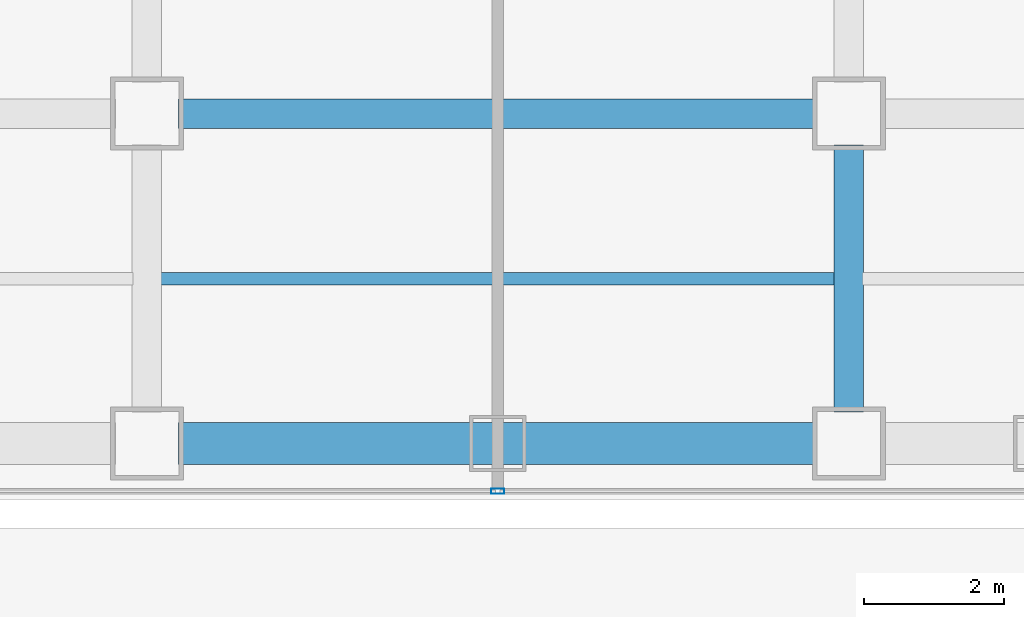
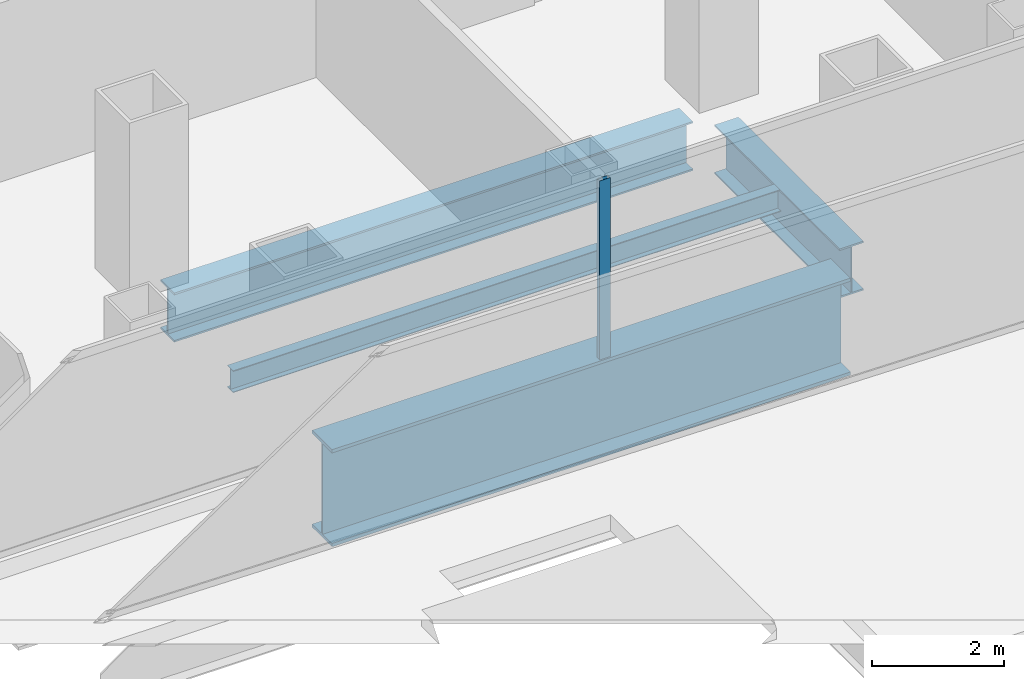
# One storey, part 5 of 27: 4 beams, 1 member, 1 element without a shape of its own.
"""IFC4 building model written with IfcOpenShell, lengths in metres."""

from ifc_helpers import new_model, si_unit, direction, frame, origin, origin_2d, place, context, subcontext, project, spatial, hollow_rectangle, i_section, extrude, source, transform, mapped, material, layer, layer_set, material_profile, profile_set, type_object, element, aggregate, save


model = new_model("IFC4")

# Units and contexts
model_context = context("Model", 3, precision=1e-05, world=origin(), true_north=direction((0.0, 1.0)))
body_context = subcontext(model_context, "Body", "Model", "MODEL_VIEW")
ifc_project = project(units=[si_unit("LENGTHUNIT", "METRE"), si_unit("AREAUNIT", "SQUARE_METRE"), si_unit("VOLUMEUNIT", "CUBIC_METRE"), si_unit("PLANEANGLEUNIT", "RADIAN"), si_unit("MASSUNIT", "GRAM", prefix="KILO")], contexts=[model_context])

# Site, building, storey
site_placement = place(None, origin())
site = spatial("IfcSite", under=ifc_project, at=site_placement, CompositionType="ELEMENT")
building_placement = place(site_placement, origin())
building = spatial("IfcBuilding", under=site, at=building_placement, Name="Kolveth Station Tower", CompositionType="ELEMENT")
storey_placement = place(building_placement, frame((0.0, 0.0, 22.5)))
storey = spatial("IfcBuildingStorey", under=building, at=storey_placement, Name="L05", CompositionType="ELEMENT", Elevation=22.5)

# Beams
ifc_material_1 = material(Name="Steel S355", Category="steel")
ifc_material_profile_1 = material_profile(ifc_material_1, i_section(OverallWidth=0.41796875, OverallDepth=0.912109375, WebThickness=0.019287109375, FlangeThickness=0.031982421875, at=origin_2d()), Name="W920x342")
ifc_profile_set_1 = profile_set([ifc_material_profile_1], Name="Steel S355")
beam_type_1 = type_object("IfcBeamType", Name="Beam_B1", PredefinedType="BEAM", material=ifc_profile_set_1)
shared_shape_1 = source(origin(), body_context, "Body", "SweptSolid", [
    extrude(i_section(OverallWidth=0.41796875, OverallDepth=0.912109375, WebThickness=0.019287109375, FlangeThickness=0.031982421875, at=origin_2d()), origin(), (0.0, 0.0, 1.0), 9.10009765625),
])
beam_1_placement = place(storey_placement, frame((18.949951171875, 5.5, -0.81591796875), z_axis=(1.0, 0.0, 0.0), x_axis=(0.0, 1.0, 0.0)))
element("IfcBeam", 1, at=beam_1_placement, inside=storey, type_object=beam_type_1, Name="L05 Primary Girder BM-L05-GY55-4", PredefinedType="BEAM", context=body_context, shape_type="MappedRepresentation", body=[
    mapped(shared_shape_1, transform((0.0, 0.0, 0.0), x_axis=(1.0, 0.0, 0.0), y_axis=(0.0, 1.0, 0.0), z_axis=(0.0, 0.0, 1.0), scale=1.0)),
])
shared_shape_2 = source(origin(), body_context, "Body", "SweptSolid", [
    extrude(i_section(OverallWidth=0.41796875, OverallDepth=0.912109375, WebThickness=0.019287109375, FlangeThickness=0.031982421875, at=origin_2d()), origin(), (0.0, 0.0, 1.0), 3.800048828125),
])
beam_2_placement = place(storey_placement, frame((28.5, 1.25, -0.81591796875), z_axis=(0.0, 1.0, 0.0), x_axis=(-1.0, 0.0, 0.0)))
element("IfcBeam", 2, at=beam_2_placement, inside=storey, type_object=beam_type_1, Name="L05 Primary Girder BM-L05-GX285-1", PredefinedType="BEAM", context=body_context, shape_type="MappedRepresentation", body=[
    mapped(shared_shape_2, transform((0.0, 0.0, 0.0), x_axis=(1.0, 0.0, 0.0), y_axis=(0.0, 1.0, 0.0), z_axis=(0.0, 0.0, 1.0), scale=1.0)),
])
ifc_material_profile_2 = material_profile(ifc_material_1, i_section(OverallWidth=0.177978515625, OverallDepth=0.406982421875, WebThickness=0.0078125, FlangeThickness=0.0126953125, at=origin_2d()), Name="W410x60")
ifc_profile_set_2 = profile_set([ifc_material_profile_2], Name="Steel S355")
beam_type_2 = type_object("IfcBeamType", Name="Beam_J1", PredefinedType="JOIST", material=ifc_profile_set_2)
shared_shape_3 = source(origin(), body_context, "Body", "SweptSolid", [
    extrude(i_section(OverallWidth=0.177978515625, OverallDepth=0.406982421875, WebThickness=0.0078125, FlangeThickness=0.0126953125, at=origin_2d()), origin(), (0.0, 0.0, 1.0), 9.60986328125),
])
beam_3_placement = place(storey_placement, frame((18.695068359375, 3.14990234375, -0.5634765625), z_axis=(1.0, 0.0, 0.0), x_axis=(0.0, 1.0, 0.0)))
element("IfcBeam", 3, at=beam_3_placement, inside=storey, type_object=beam_type_2, Name="L05 Secondary Joist JST-L05-4-1", PredefinedType="JOIST", context=body_context, shape_type="MappedRepresentation", body=[
    mapped(shared_shape_3, transform((0.0, 0.0, 0.0), x_axis=(1.0, 0.0, 0.0), y_axis=(0.0, 1.0, 0.0), z_axis=(0.0, 0.0, 1.0), scale=1.0)),
])
ifc_material_2 = material(Name="Steel S460", Category="steel")
ifc_material_profile_3 = material_profile(ifc_material_2, i_section(OverallWidth=0.60009765625, OverallDepth=1.800048828125, WebThickness=0.031982421875, FlangeThickness=0.06005859375, at=origin_2d()), Name="PG1800x600x60")
ifc_profile_set_3 = profile_set([ifc_material_profile_3], Name="Steel S460")
beam_type_3 = type_object("IfcBeamType", Name="Beam_TG2", PredefinedType="BEAM", material=ifc_profile_set_3)
shared_shape_4 = source(origin(), body_context, "Body", "SweptSolid", [
    extrude(i_section(OverallWidth=0.60009765625, OverallDepth=1.800048828125, WebThickness=0.031982421875, FlangeThickness=0.06005859375, at=origin_2d()), origin(), (0.0, 0.0, 1.0), 9.10009765625),
])
beam_4_placement = place(storey_placement, frame((18.949951171875, 0.800048828125, -1.260009765625), z_axis=(1.0, 0.0, 0.0), x_axis=(0.0, 1.0, 0.0)))
element("IfcBeam", 4, at=beam_4_placement, inside=storey, type_object=beam_type_3, Name="L05 Transfer Girder BM-L05-PS-3", PredefinedType="BEAM", context=body_context, shape_type="MappedRepresentation", body=[
    mapped(shared_shape_4, transform((0.0, 0.0, 0.0), x_axis=(1.0, 0.0, 0.0), y_axis=(0.0, 1.0, 0.0), z_axis=(0.0, 0.0, 1.0), scale=1.0)),
])

# Curtain wall, member
ifc_material_3 = material(Name="Aluminium 6063-T6 and low-E dark glass", Category="aluminium")
ifc_layer = layer(ifc_material_3, 0.179931640625)
ifc_layer_set = layer_set([ifc_layer], Name="Aluminium 6063-T6 and low-E dark glass")
curtain_wall_type = type_object("IfcCurtainWallType", Name="CurtainWall_CW-Z1", PredefinedType="NOTDEFINED", material=ifc_layer_set)
curtain_wall_placement = place(storey_placement, origin())
curtain_wall = element("IfcCurtainWall", 5, at=curtain_wall_placement, inside=storey, type_object=curtain_wall_type, Name="L05 Inner Thermal Curtain Wall 12", PredefinedType="NOTDEFINED")
ifc_material_4 = material(Name="Black anodized aluminium 6063-T6", Category="aluminium")
ifc_material_profile_4 = material_profile(ifc_material_4, hollow_rectangle(XDim=0.074951171875, YDim=0.18994140625, WallThickness=0.0048828125, at=origin_2d()), Name="ALU-75x190x5")
ifc_profile_set_4 = profile_set([ifc_material_profile_4], Name="Black anodized aluminium 6063-T6")
member_type = type_object("IfcMemberType", Name="Mullion_ML1", PredefinedType="MULLION", material=ifc_profile_set_4)
shared_shape_5 = source(origin(), body_context, "Body", "SweptSolid", [
    extrude(hollow_rectangle(XDim=0.074951171875, YDim=0.18994140625, WallThickness=0.0048828125, at=origin_2d()), origin(), (0.0, 0.0, 1.0), 3.320068359375),
])
member_placement = place(storey_placement, frame((23.5, 0.1201171875, 0.0), z_axis=(0.0, 0.0, 1.0), x_axis=(0.0, 1.0, 0.0)))
member = element("IfcMember", 6, at=member_placement, type_object=member_type, Name="CW-Z1 mullion 2", PredefinedType="MULLION", context=body_context, shape_type="MappedRepresentation", body=[
    mapped(shared_shape_5, transform((0.0, 0.0, 0.0), x_axis=(1.0, 0.0, 0.0), y_axis=(0.0, 1.0, 0.0), z_axis=(0.0, 0.0, 1.0), scale=1.0)),
])
aggregate(curtain_wall, [member])

save(model, "model.ifc")
